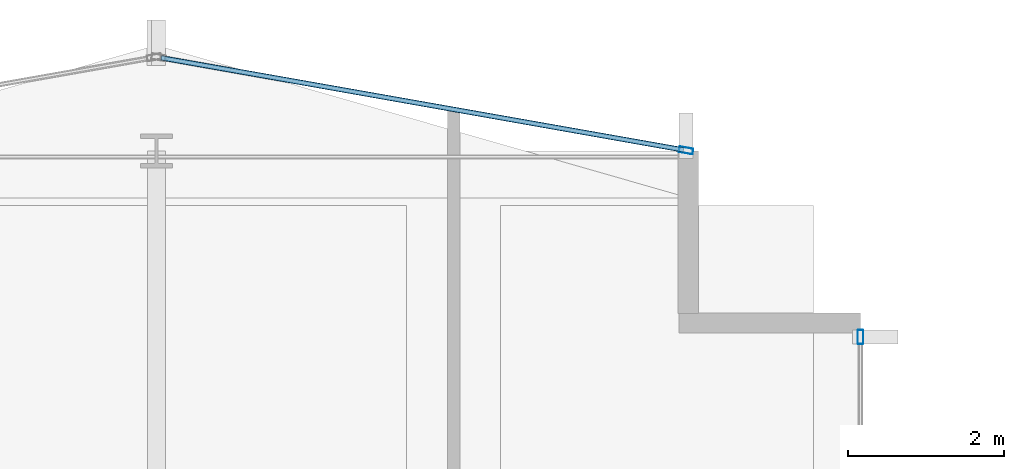
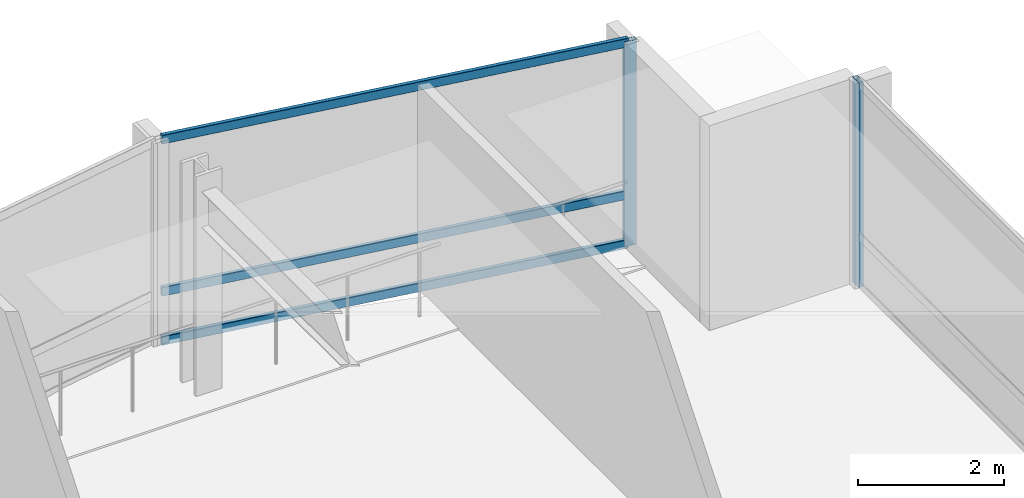
# One storey, part 20 of 28: 5 members, 2 elements without a shape of their own.
"""IFC4 building model written with IfcOpenShell, lengths in metres."""

from ifc_helpers import new_model, si_unit, direction, frame, origin, origin_2d, place, context, subcontext, project, spatial, hollow_rectangle, extrude, material, layer, layer_set, material_profile, profile_set, type_object, element, aggregate, save


model = new_model("IFC4")

# Units and contexts
model_context = context("Model", 3, precision=1e-05, world=origin(), true_north=direction((0.0, 1.0)))
body_context = subcontext(model_context, "Body", "Model", "MODEL_VIEW")
ifc_project = project(units=[si_unit("LENGTHUNIT", "METRE"), si_unit("AREAUNIT", "SQUARE_METRE"), si_unit("VOLUMEUNIT", "CUBIC_METRE"), si_unit("PLANEANGLEUNIT", "RADIAN"), si_unit("MASSUNIT", "GRAM", prefix="KILO")], contexts=[model_context])

# Site, building, storey
site_placement = place(None, origin())
site = spatial("IfcSite", under=ifc_project, at=site_placement, CompositionType="ELEMENT")
building_placement = place(site_placement, origin())
building = spatial("IfcBuilding", under=site, at=building_placement, Name="Solvaryn Broadcast Tower", CompositionType="ELEMENT")
storey_placement = place(building_placement, frame((0.0, 0.0, 154.39990234375)))
storey = spatial("IfcBuildingStorey", under=building, at=storey_placement, Name="L38", CompositionType="ELEMENT", Elevation=154.39990234375)

# Curtain wall, member
ifc_material_1 = material(Name="Aluminium and Terracotta Unitised Curtain Wall", Category="masonry")
ifc_layer = layer(ifc_material_1, 0.199951171875)
ifc_layer_set = layer_set([ifc_layer], Name="CW-SYS2-LOWMID")
curtain_wall_type = type_object("IfcCurtainWallType", Name="CW-SYS2-LOWMID", PredefinedType="NOTDEFINED", material=ifc_layer_set)
curtain_wall_1_placement = place(storey_placement, origin())
curtain_wall_1 = element("IfcCurtainWall", 1, at=curtain_wall_1_placement, inside=storey, type_object=curtain_wall_type, Name="L38 Curtain Wall IV", PredefinedType="NOTDEFINED")
ifc_material_2 = material(Name="Anodised Aluminium 6063-T6", Category="aluminium")
ifc_material_profile_1 = material_profile(ifc_material_2, hollow_rectangle(XDim=0.074951171875, YDim=0.179931640625, WallThickness=0.00390625, InnerFilletRadius=0.00390625, OuterFilletRadius=0.008056640625, at=origin_2d()))
ifc_profile_set_1 = profile_set([ifc_material_profile_1], Name="Anodised Aluminium 6063-T6")
member_type_1 = type_object("IfcMemberType", Name="CW-MUL-180", PredefinedType="MULLION", material=ifc_profile_set_1)
member_1_placement = place(storey_placement, frame((27.0, 51.6201171875, 0.0), z_axis=(0.0, 0.0, 1.0), x_axis=(1.0, 0.0, 0.0)))
member_1 = element("IfcMember", 2, at=member_1_placement, type_object=member_type_1, Name="CWS2 mullion 1", PredefinedType="MULLION", context=body_context, shape_type="SweptSolid", body=[
    extrude(hollow_rectangle(XDim=0.074951171875, YDim=0.179931640625, WallThickness=0.00390625, InnerFilletRadius=0.00390625, OuterFilletRadius=0.008056640625, at=origin_2d()), origin(), (0.0, 0.0, 1.0), 3.420166015625),
])
aggregate(curtain_wall_1, [member_1])

# Curtain wall, members
curtain_wall_2_placement = place(storey_placement, origin())
curtain_wall_2 = element("IfcCurtainWall", 3, at=curtain_wall_2_placement, inside=storey, type_object=curtain_wall_type, Name="L38 Curtain Wall NT1", PredefinedType="NOTDEFINED")
member_2_placement = place(storey_placement, frame((24.7705078125, 54.005126953125, 0.0), z_axis=(0.0, 0.0, 1.0), x_axis=(-0.173785333901, -0.984783558819, 0.0)))
member_2 = element("IfcMember", 4, at=member_2_placement, type_object=member_type_1, Name="CWS2 mullion 1", PredefinedType="MULLION", context=body_context, shape_type="SweptSolid", body=[
    extrude(hollow_rectangle(XDim=0.074951171875, YDim=0.179931640625, WallThickness=0.00390625, InnerFilletRadius=0.00390625, OuterFilletRadius=0.008056640625, at=origin_2d()), origin(), (0.0, 0.0, 1.0), 3.420166015625),
])
ifc_material_3 = material(Name="Anodised Aluminium 6063-T6", Category="aluminium")
ifc_material_profile_2 = material_profile(ifc_material_3, hollow_rectangle(XDim=0.06494140625, YDim=0.14990234375, WallThickness=0.00390625, InnerFilletRadius=0.00390625, OuterFilletRadius=0.008056640625, at=origin_2d()))
ifc_profile_set_2 = profile_set([ifc_material_profile_2], Name="Anodised Aluminium 6063-T6")
member_type_2 = type_object("IfcMemberType", Name="CW-TRN-150", PredefinedType="USERDEFINED", material=ifc_profile_set_2)
member_3_placement = place(storey_placement, frame((24.740966796875, 54.010498046875, 0.030029296875), z_axis=(-0.984788629673, 0.173756596613, 0.0), x_axis=(-0.173756596613, -0.984788629673, 0.0)))
member_3 = element("IfcMember", 5, at=member_3_placement, type_object=member_type_2, Name="CWS2 transom 1.1", ObjectType="TRANSOM", PredefinedType="USERDEFINED", context=body_context, shape_type="SweptSolid", body=[
    extrude(hollow_rectangle(XDim=0.06494140625, YDim=0.14990234375, WallThickness=0.00390625, InnerFilletRadius=0.00390625, OuterFilletRadius=0.008056640625, at=origin_2d()), origin(), (0.0, 0.0, 1.0), 6.78515625),
])
member_4_placement = place(storey_placement, frame((24.740966796875, 54.010498046875, 0.85009765625), z_axis=(-0.984788629673, 0.173756596613, 0.0), x_axis=(-0.173756596613, -0.984788629673, 0.0)))
member_4 = element("IfcMember", 6, at=member_4_placement, type_object=member_type_2, Name="CWS2 transom 1.2", ObjectType="TRANSOM", PredefinedType="USERDEFINED", context=body_context, shape_type="SweptSolid", body=[
    extrude(hollow_rectangle(XDim=0.06494140625, YDim=0.14990234375, WallThickness=0.00390625, InnerFilletRadius=0.00390625, OuterFilletRadius=0.008056640625, at=origin_2d()), origin(), (0.0, 0.0, 1.0), 6.78515625),
])
member_5_placement = place(storey_placement, frame((24.740966796875, 54.010498046875, 3.39013671875), z_axis=(-0.984788629673, 0.173756596613, 0.0), x_axis=(-0.173756596613, -0.984788629673, 0.0)))
member_5 = element("IfcMember", 7, at=member_5_placement, type_object=member_type_2, Name="CWS2 transom 1.3", ObjectType="TRANSOM", PredefinedType="USERDEFINED", context=body_context, shape_type="SweptSolid", body=[
    extrude(hollow_rectangle(XDim=0.06494140625, YDim=0.14990234375, WallThickness=0.00390625, InnerFilletRadius=0.00390625, OuterFilletRadius=0.008056640625, at=origin_2d()), origin(), (0.0, 0.0, 1.0), 6.78515625),
])
aggregate(curtain_wall_2, [member_2, member_3, member_4, member_5])

save(model, "model.ifc")
